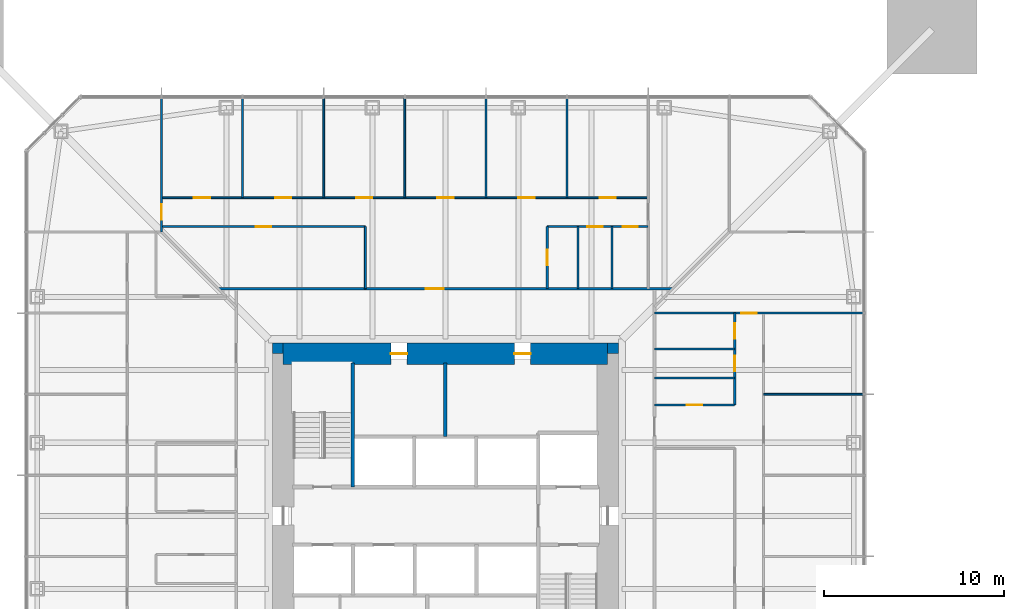
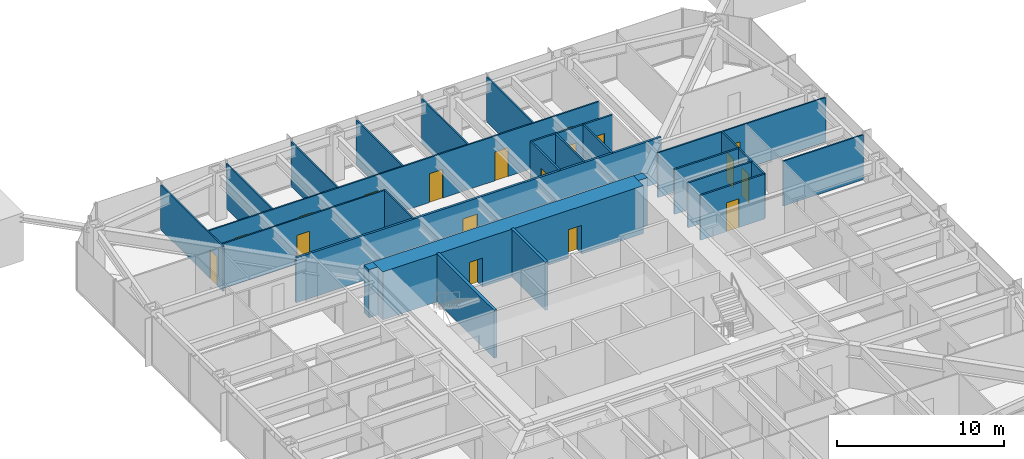
# One storey, part 17 of 26: 25 walls, 18 doors, 18 openings.
"""IFC4 building model written with IfcOpenShell, lengths in metres."""

from ifc_helpers import new_model, si_unit, direction, frame, frame_2d, origin, place, context, subcontext, project, spatial, rectangle, extrude, material, layer, layer_set, type_object, element, fill, save


model = new_model("IFC4")

# Units and contexts
model_context = context("Model", 3, precision=1e-05, world=origin(), true_north=direction((0.0, 1.0)))
body_context = subcontext(model_context, "Body", "Model", "MODEL_VIEW")
ifc_project = project(units=[si_unit("LENGTHUNIT", "METRE"), si_unit("AREAUNIT", "SQUARE_METRE"), si_unit("VOLUMEUNIT", "CUBIC_METRE"), si_unit("PLANEANGLEUNIT", "RADIAN"), si_unit("MASSUNIT", "GRAM", prefix="KILO")], contexts=[model_context])

# Site, building, storey
site_placement = place(None, origin())
site = spatial("IfcSite", under=ifc_project, at=site_placement, CompositionType="ELEMENT")
building_placement = place(site_placement, origin())
building = spatial("IfcBuilding", under=site, at=building_placement, Name="Iwan Alto Co-Living Towers", CompositionType="ELEMENT")
storey_placement = place(building_placement, frame((0.0, 0.0, 57.0)))
storey = spatial("IfcBuildingStorey", under=building, at=storey_placement, Name="L15", CompositionType="ELEMENT", Elevation=57.0)

# Wall, opening, door
ifc_material_1 = material(Name="Gypsum board")
ifc_layer_1 = layer(ifc_material_1, 0.02490234375, Name="Board", Category="Finish")
ifc_material_2 = material(Name="Steel ASTM A1003 ST33H cold-formed studs", Category="steel")
ifc_layer_2 = layer(ifc_material_2, 0.10009765625, Name="Studs", Category="Framing")
ifc_layer_3 = layer(ifc_material_1, 0.02490234375, Name="Board", Category="Finish")
ifc_layer_set_1 = layer_set([ifc_layer_1, ifc_layer_2, ifc_layer_3], Name="CORRIDOR WALL 150")
wall_type_1 = type_object("IfcWallType", Name="CORRIDOR WALL 150", PredefinedType="PARTITIONING", material=ifc_layer_set_1)
wall_1_placement = place(storey_placement, frame((-12.60009765625, 12.60009765625, 0.0), z_axis=(0.0, 0.0, 1.0), x_axis=(1.0, 0.0, 0.0)))
wall_1 = element("IfcWall", 1, at=wall_1_placement, inside=storey, type_object=wall_type_1, Name="Partition L15", PredefinedType="PARTITIONING", context=body_context, shape_type="SweptSolid", body=[
    extrude(rectangle(XDim=25.2001953125, YDim=0.14990234375, at=frame_2d((12.60009765625, 0.0))), origin(), (0.0, 0.0, 1.0), 3.27001953125),
])
opening_1_placement = place(wall_1_placement, frame((11.5048828125, 0.0, 0.0)))
opening_1 = element("IfcOpeningElement", 2, at=opening_1_placement, cuts=wall_1, Name="Opening D3", PredefinedType="OPENING", context=body_context, shape_type="SweptSolid", body=[
    extrude(rectangle(XDim=1.0, YDim=2.10009765625, at=frame_2d((0.5, 1.050048828125))), frame((0.0, 0.0849609375, 0.0), z_axis=(0.0, -1.0, 0.0), x_axis=(1.0, 0.0, 0.0)), (0.0, 0.0, 1.0), 0.169921875),
])
ifc_material_3 = material(Name="Steel frame with timber leaf", Category="steel")
door_type_1 = type_object("IfcDoorType", Name="FLAT ENTRANCE DOOR FD30S 1000X2100", OperationType="SINGLE_SWING_LEFT", PredefinedType="DOOR", material=ifc_material_3)
door_1_placement = place(opening_1_placement, origin())
door_1 = element("IfcDoor", 3, at=door_1_placement, inside=storey, type_object=door_type_1, Name="Cluster lounge door L15", OperationType="SINGLE_SWING_LEFT", OverallHeight=2.10009765625, OverallWidth=1.0, PredefinedType="DOOR", context=body_context, shape_type="SweptSolid", body=[
    extrude(rectangle(XDim=1.0, YDim=2.10009765625, at=frame_2d((0.5, 1.050048828125))), frame((0.0, 0.02490234375, 0.0), z_axis=(0.0, -1.0, 0.0), x_axis=(1.0, 0.0, 0.0)), (0.0, 0.0, 1.0), 0.050048828125),
])
fill(opening_1, door_1)

# Wall
ifc_layer_4 = layer(ifc_material_1, 0.012451171875, Name="Board", Category="Finish")
ifc_layer_5 = layer(ifc_material_2, 0.074951171875, Name="Studs", Category="Framing")
ifc_layer_6 = layer(ifc_material_1, 0.012451171875, Name="Board", Category="Finish")
ifc_layer_set_2 = layer_set([ifc_layer_4, ifc_layer_5, ifc_layer_6], Name="PARTITION 100")
wall_type_2 = type_object("IfcWallType", Name="PARTITION 100", PredefinedType="PARTITIONING", material=ifc_layer_set_2)
wall_2_placement = place(storey_placement, frame((17.64990234375, 6.75, 0.0), z_axis=(0.0, 0.0, 1.0), x_axis=(1.0, 0.0, 0.0)))
element("IfcWall", 4, at=wall_2_placement, inside=storey, type_object=wall_type_2, Name="Partition L15", PredefinedType="PARTITIONING", context=body_context, shape_type="SweptSolid", body=[
    extrude(rectangle(XDim=5.5400390625, YDim=0.10009765625, at=frame_2d((2.77001953125, 0.0))), origin(), (0.0, 0.0, 1.0), 3.27001953125),
])

# Wall, opening, door
wall_3_placement = place(storey_placement, frame((11.60009765625, 11.25, 0.0), z_axis=(0.0, 0.0, 1.0), x_axis=(1.0, 0.0, 0.0)))
wall_3 = element("IfcWall", 5, at=wall_3_placement, inside=storey, type_object=wall_type_2, Name="Partition L15", PredefinedType="PARTITIONING", context=body_context, shape_type="SweptSolid", body=[
    extrude(rectangle(XDim=11.58984375, YDim=0.10009765625, at=frame_2d((5.794921875, 0.0))), origin(), (0.0, 0.0, 1.0), 3.27001953125),
])
opening_2_placement = place(wall_3_placement, frame((4.824951171875, 0.0, 0.0)))
opening_2 = element("IfcOpeningElement", 6, at=opening_2_placement, cuts=wall_3, Name="Opening D2", PredefinedType="OPENING", context=body_context, shape_type="SweptSolid", body=[
    extrude(rectangle(XDim=0.85009765625, YDim=2.10009765625, at=frame_2d((0.425048828125, 1.050048828125))), frame((0.0, 0.06005859375, 0.0), z_axis=(0.0, -1.0, 0.0), x_axis=(1.0, 0.0, 0.0)), (0.0, 0.0, 1.0), 0.1201171875),
])
ifc_material_4 = material(Name="Timber leaf in steel frame", Category="steel")
door_type_2 = type_object("IfcDoorType", Name="ROOM DOOR 850X2100", OperationType="SINGLE_SWING_LEFT", PredefinedType="DOOR", material=ifc_material_4)
door_2_placement = place(opening_2_placement, frame((0.85009765625, 0.0, 0.0), z_axis=(0.0, 0.0, 1.0), x_axis=(-1.0, 0.0, 0.0)))
door_2 = element("IfcDoor", 7, at=door_2_placement, inside=storey, type_object=door_type_2, Name="Teaching kitchen door L15", OperationType="SINGLE_SWING_RIGHT", OverallHeight=2.10009765625, OverallWidth=0.85009765625, PredefinedType="DOOR", context=body_context, shape_type="SweptSolid", body=[
    extrude(rectangle(XDim=0.85009765625, YDim=2.10009765625, at=frame_2d((0.425048828125, 1.050048828125))), frame((0.0, 0.02490234375, 0.0), z_axis=(0.0, -1.0, 0.0), x_axis=(1.0, 0.0, 0.0)), (0.0, 0.0, 1.0), 0.050048828125),
])
fill(opening_2, door_2)

wall_4_placement = place(storey_placement, frame((-15.75, 16.050048828125, 0.0), z_axis=(0.0, 0.0, 1.0), x_axis=(1.0, 0.0, 0.0)))
wall_4 = element("IfcWall", 8, at=wall_4_placement, inside=storey, type_object=wall_type_2, Name="Partition L15", PredefinedType="PARTITIONING", context=body_context, shape_type="SweptSolid", body=[
    extrude(rectangle(XDim=11.31005859375, YDim=0.10009765625, at=frame_2d((5.655029296875, 0.0))), origin(), (0.0, 0.0, 1.0), 3.27001953125),
])
opening_3_placement = place(wall_4_placement, frame((5.22998046875, 0.0, 0.0)))
opening_3 = element("IfcOpeningElement", 9, at=opening_3_placement, cuts=wall_4, Name="Opening D2", PredefinedType="OPENING", context=body_context, shape_type="SweptSolid", body=[
    extrude(rectangle(XDim=0.85009765625, YDim=2.10009765625, at=frame_2d((0.425048828125, 1.050048828125))), frame((0.0, 0.06005859375, 0.0), z_axis=(0.0, -1.0, 0.0), x_axis=(1.0, 0.0, 0.0)), (0.0, 0.0, 1.0), 0.1201171875),
])
door_3_placement = place(opening_3_placement, origin())
door_3 = element("IfcDoor", 10, at=door_3_placement, inside=storey, type_object=door_type_2, Name="Study room door L15", OperationType="SINGLE_SWING_LEFT", OverallHeight=2.10009765625, OverallWidth=0.85009765625, PredefinedType="DOOR", context=body_context, shape_type="SweptSolid", body=[
    extrude(rectangle(XDim=0.85009765625, YDim=2.10009765625, at=frame_2d((0.425048828125, 1.050048828125))), frame((0.0, 0.02490234375, 0.0), z_axis=(0.0, -1.0, 0.0), x_axis=(1.0, 0.0, 0.0)), (0.0, 0.0, 1.0), 0.050048828125),
])
fill(opening_3, door_3)

# Wall, openings, doors
wall_5_placement = place(storey_placement, frame((-15.75, 17.64990234375, 0.0), z_axis=(0.0, 0.0, 1.0), x_axis=(1.0, 0.0, 0.0)))
wall_5 = element("IfcWall", 11, at=wall_5_placement, inside=storey, type_object=wall_type_2, Name="Partition L15", PredefinedType="PARTITIONING", context=body_context, shape_type="SweptSolid", body=[
    extrude(rectangle(XDim=27.0, YDim=0.10009765625, at=frame_2d((13.5, 0.0))), origin(), (0.0, 0.0, 1.0), 3.27001953125),
])
opening_4_placement = place(wall_5_placement, frame((24.300048828125, 0.0, 0.0)))
opening_4 = element("IfcOpeningElement", 12, at=opening_4_placement, cuts=wall_5, Name="Opening D1", PredefinedType="OPENING", context=body_context, shape_type="SweptSolid", body=[
    extrude(rectangle(XDim=0.89990234375, YDim=2.10009765625, at=frame_2d((0.449951171875, 1.050048828125))), frame((0.0, 0.06005859375, 0.0), z_axis=(0.0, -1.0, 0.0), x_axis=(1.0, 0.0, 0.0)), (0.0, 0.0, 1.0), 0.1201171875),
])
opening_5_placement = place(wall_5_placement, frame((19.800048828125, 0.0, 0.0)))
opening_5 = element("IfcOpeningElement", 13, at=opening_5_placement, cuts=wall_5, Name="Opening D1", PredefinedType="OPENING", context=body_context, shape_type="SweptSolid", body=[
    extrude(rectangle(XDim=0.89990234375, YDim=2.10009765625, at=frame_2d((0.449951171875, 1.050048828125))), frame((0.0, 0.06005859375, 0.0), z_axis=(0.0, -1.0, 0.0), x_axis=(1.0, 0.0, 0.0)), (0.0, 0.0, 1.0), 0.1201171875),
])
opening_6_placement = place(wall_5_placement, frame((15.300048828125, 0.0, 0.0)))
opening_6 = element("IfcOpeningElement", 14, at=opening_6_placement, cuts=wall_5, Name="Opening D1", PredefinedType="OPENING", context=body_context, shape_type="SweptSolid", body=[
    extrude(rectangle(XDim=0.89990234375, YDim=2.10009765625, at=frame_2d((0.449951171875, 1.050048828125))), frame((0.0, 0.06005859375, 0.0), z_axis=(0.0, -1.0, 0.0), x_axis=(1.0, 0.0, 0.0)), (0.0, 0.0, 1.0), 0.1201171875),
])
opening_7_placement = place(wall_5_placement, frame((10.800048828125, 0.0, 0.0)))
opening_7 = element("IfcOpeningElement", 15, at=opening_7_placement, cuts=wall_5, Name="Opening D1", PredefinedType="OPENING", context=body_context, shape_type="SweptSolid", body=[
    extrude(rectangle(XDim=0.89990234375, YDim=2.10009765625, at=frame_2d((0.449951171875, 1.050048828125))), frame((0.0, 0.06005859375, 0.0), z_axis=(0.0, -1.0, 0.0), x_axis=(1.0, 0.0, 0.0)), (0.0, 0.0, 1.0), 0.1201171875),
])
opening_8_placement = place(wall_5_placement, frame((6.300048828125, 0.0, 0.0)))
opening_8 = element("IfcOpeningElement", 16, at=opening_8_placement, cuts=wall_5, Name="Opening D1", PredefinedType="OPENING", context=body_context, shape_type="SweptSolid", body=[
    extrude(rectangle(XDim=0.89990234375, YDim=2.10009765625, at=frame_2d((0.449951171875, 1.050048828125))), frame((0.0, 0.06005859375, 0.0), z_axis=(0.0, -1.0, 0.0), x_axis=(1.0, 0.0, 0.0)), (0.0, 0.0, 1.0), 0.1201171875),
])
opening_9_placement = place(wall_5_placement, frame((1.800048828125, 0.0, 0.0)))
opening_9 = element("IfcOpeningElement", 17, at=opening_9_placement, cuts=wall_5, Name="Opening D1", PredefinedType="OPENING", context=body_context, shape_type="SweptSolid", body=[
    extrude(rectangle(XDim=0.89990234375, YDim=2.10009765625, at=frame_2d((0.449951171875, 1.050048828125))), frame((0.0, 0.06005859375, 0.0), z_axis=(0.0, -1.0, 0.0), x_axis=(1.0, 0.0, 0.0)), (0.0, 0.0, 1.0), 0.1201171875),
])
ifc_material_5 = material(Name="Timber leaf in steel frame", Category="steel")
door_type_3 = type_object("IfcDoorType", Name="BEDROOM DOOR 900X2100", OperationType="SINGLE_SWING_LEFT", PredefinedType="DOOR", material=ifc_material_5)
door_4_placement = place(opening_4_placement, frame((0.89990234375, 0.0, 0.0), z_axis=(0.0, 0.0, 1.0), x_axis=(-1.0, 0.0, 0.0)))
door_4 = element("IfcDoor", 18, at=door_4_placement, inside=storey, type_object=door_type_3, Name="Study bedroom door L15", OperationType="SINGLE_SWING_LEFT", OverallHeight=2.10009765625, OverallWidth=0.89990234375, PredefinedType="DOOR", context=body_context, shape_type="SweptSolid", body=[
    extrude(rectangle(XDim=0.89990234375, YDim=2.10009765625, at=frame_2d((0.449951171875, 1.050048828125))), frame((0.0, 0.02490234375, 0.0), z_axis=(0.0, -1.0, 0.0), x_axis=(1.0, 0.0, 0.0)), (0.0, 0.0, 1.0), 0.050048828125),
])
fill(opening_4, door_4)
door_5_placement = place(opening_5_placement, frame((0.89990234375, 0.0, 0.0), z_axis=(0.0, 0.0, 1.0), x_axis=(-1.0, 0.0, 0.0)))
door_5 = element("IfcDoor", 19, at=door_5_placement, inside=storey, type_object=door_type_3, Name="Study bedroom door L15", OperationType="SINGLE_SWING_LEFT", OverallHeight=2.10009765625, OverallWidth=0.89990234375, PredefinedType="DOOR", context=body_context, shape_type="SweptSolid", body=[
    extrude(rectangle(XDim=0.89990234375, YDim=2.10009765625, at=frame_2d((0.449951171875, 1.050048828125))), frame((0.0, 0.02490234375, 0.0), z_axis=(0.0, -1.0, 0.0), x_axis=(1.0, 0.0, 0.0)), (0.0, 0.0, 1.0), 0.050048828125),
])
fill(opening_5, door_5)
door_6_placement = place(opening_6_placement, frame((0.89990234375, 0.0, 0.0), z_axis=(0.0, 0.0, 1.0), x_axis=(-1.0, 0.0, 0.0)))
door_6 = element("IfcDoor", 20, at=door_6_placement, inside=storey, type_object=door_type_3, Name="Study bedroom door L15", OperationType="SINGLE_SWING_LEFT", OverallHeight=2.10009765625, OverallWidth=0.89990234375, PredefinedType="DOOR", context=body_context, shape_type="SweptSolid", body=[
    extrude(rectangle(XDim=0.89990234375, YDim=2.10009765625, at=frame_2d((0.449951171875, 1.050048828125))), frame((0.0, 0.02490234375, 0.0), z_axis=(0.0, -1.0, 0.0), x_axis=(1.0, 0.0, 0.0)), (0.0, 0.0, 1.0), 0.050048828125),
])
fill(opening_6, door_6)
door_7_placement = place(opening_7_placement, frame((0.89990234375, 0.0, 0.0), z_axis=(0.0, 0.0, 1.0), x_axis=(-1.0, 0.0, 0.0)))
door_7 = element("IfcDoor", 21, at=door_7_placement, inside=storey, type_object=door_type_3, Name="Study bedroom door L15", OperationType="SINGLE_SWING_RIGHT", OverallHeight=2.10009765625, OverallWidth=0.89990234375, PredefinedType="DOOR", context=body_context, shape_type="SweptSolid", body=[
    extrude(rectangle(XDim=0.89990234375, YDim=2.10009765625, at=frame_2d((0.449951171875, 1.050048828125))), frame((0.0, 0.02490234375, 0.0), z_axis=(0.0, -1.0, 0.0), x_axis=(1.0, 0.0, 0.0)), (0.0, 0.0, 1.0), 0.050048828125),
])
fill(opening_7, door_7)
door_8_placement = place(opening_8_placement, frame((0.89990234375, 0.0, 0.0), z_axis=(0.0, 0.0, 1.0), x_axis=(-1.0, 0.0, 0.0)))
door_8 = element("IfcDoor", 22, at=door_8_placement, inside=storey, type_object=door_type_3, Name="Study bedroom door L15", OperationType="SINGLE_SWING_RIGHT", OverallHeight=2.10009765625, OverallWidth=0.89990234375, PredefinedType="DOOR", context=body_context, shape_type="SweptSolid", body=[
    extrude(rectangle(XDim=0.89990234375, YDim=2.10009765625, at=frame_2d((0.449951171875, 1.050048828125))), frame((0.0, 0.02490234375, 0.0), z_axis=(0.0, -1.0, 0.0), x_axis=(1.0, 0.0, 0.0)), (0.0, 0.0, 1.0), 0.050048828125),
])
fill(opening_8, door_8)
door_9_placement = place(opening_9_placement, frame((0.89990234375, 0.0, 0.0), z_axis=(0.0, 0.0, 1.0), x_axis=(-1.0, 0.0, 0.0)))
door_9 = element("IfcDoor", 23, at=door_9_placement, inside=storey, type_object=door_type_3, Name="Study bedroom door L15", OperationType="SINGLE_SWING_RIGHT", OverallHeight=2.10009765625, OverallWidth=0.89990234375, PredefinedType="DOOR", context=body_context, shape_type="SweptSolid", body=[
    extrude(rectangle(XDim=0.89990234375, YDim=2.10009765625, at=frame_2d((0.449951171875, 1.050048828125))), frame((0.0, 0.02490234375, 0.0), z_axis=(0.0, -1.0, 0.0), x_axis=(1.0, 0.0, 0.0)), (0.0, 0.0, 1.0), 0.050048828125),
])
fill(opening_9, door_9)

# Walls
for number, where, z_axis, x_axis, name in (
    (24, (6.75, 17.64990234375, 0.0), (0.0, 0.0, 1.0), (0.0, 1.0, 0.0), "Partition L15"),
    (25, (2.25, 17.64990234375, 0.0), (0.0, 0.0, 1.0), (0.0, 1.0, 0.0), "Partition L15"),
    (26, (-2.25, 17.64990234375, 0.0), (0.0, 0.0, 1.0), (0.0, 1.0, 0.0), "Partition L15"),
):
    element("IfcWall", number, at=place(storey_placement, frame(where, z_axis=z_axis, x_axis=x_axis)), inside=storey, type_object=wall_type_2, Name=name, PredefinedType="PARTITIONING", context=body_context, shape_type="SweptSolid", body=[
        extrude(rectangle(XDim=5.5400390625, YDim=0.10009765625, at=frame_2d((2.77001953125, 0.0))), origin(), (0.0, 0.0, 1.0), 3.27001953125),
    ])
wall_6_placement = place(storey_placement, frame((-4.43994140625, 12.60009765625, 0.0), z_axis=(0.0, 0.0, 1.0), x_axis=(0.0, 1.0, 0.0)))
element("IfcWall", 27, at=wall_6_placement, inside=storey, type_object=wall_type_2, Name="Partition L15", PredefinedType="PARTITIONING", context=body_context, shape_type="SweptSolid", body=[
    extrude(rectangle(XDim=3.449951171875, YDim=0.10009765625, at=frame_2d((1.72509765625, 0.0))), origin(), (0.0, 0.0, 1.0), 3.27001953125),
])
for number, where, z_axis, x_axis, name in (
    (28, (-6.75, 17.64990234375, 0.0), (0.0, 0.0, 1.0), (0.0, 1.0, 0.0), "Partition L15"),
    (29, (-11.25, 17.64990234375, 0.0), (0.0, 0.0, 1.0), (0.0, 1.0, 0.0), "Partition L15"),
):
    element("IfcWall", number, at=place(storey_placement, frame(where, z_axis=z_axis, x_axis=x_axis)), inside=storey, type_object=wall_type_2, Name=name, PredefinedType="PARTITIONING", context=body_context, shape_type="SweptSolid", body=[
        extrude(rectangle(XDim=5.5400390625, YDim=0.10009765625, at=frame_2d((2.77001953125, 0.0))), origin(), (0.0, 0.0, 1.0), 3.27001953125),
    ])

# Wall, opening, door
wall_7_placement = place(storey_placement, frame((-15.75, 15.75, 0.0), z_axis=(0.0, 0.0, 1.0), x_axis=(0.0, 1.0, 0.0)))
wall_7 = element("IfcWall", 30, at=wall_7_placement, inside=storey, type_object=wall_type_2, Name="Partition L15", PredefinedType="PARTITIONING", context=body_context, shape_type="SweptSolid", body=[
    extrude(rectangle(XDim=7.43994140625, YDim=0.10009765625, at=frame_2d((3.719970703125, 0.0))), origin(), (0.0, 0.0, 1.0), 3.27001953125),
])
opening_10_placement = place(wall_7_placement, frame((0.675048828125, 0.0, 0.0)))
opening_10 = element("IfcOpeningElement", 31, at=opening_10_placement, cuts=wall_7, Name="Opening D2", PredefinedType="OPENING", context=body_context, shape_type="SweptSolid", body=[
    extrude(rectangle(XDim=0.85009765625, YDim=2.10009765625, at=frame_2d((0.425048828125, 1.050048828125))), frame((0.0, 0.06005859375, 0.0), z_axis=(0.0, -1.0, 0.0), x_axis=(1.0, 0.0, 0.0)), (0.0, 0.0, 1.0), 0.1201171875),
])
door_10_placement = place(opening_10_placement, frame((0.85009765625, 0.0, 0.0), z_axis=(0.0, 0.0, 1.0), x_axis=(-1.0, 0.0, 0.0)))
door_10 = element("IfcDoor", 32, at=door_10_placement, inside=storey, type_object=door_type_2, Name="Shared kitchen and dining room door L15", OperationType="SINGLE_SWING_RIGHT", OverallHeight=2.10009765625, OverallWidth=0.85009765625, PredefinedType="DOOR", context=body_context, shape_type="SweptSolid", body=[
    extrude(rectangle(XDim=0.85009765625, YDim=2.10009765625, at=frame_2d((0.425048828125, 1.050048828125))), frame((0.0, 0.02490234375, 0.0), z_axis=(0.0, -1.0, 0.0), x_axis=(1.0, 0.0, 0.0)), (0.0, 0.0, 1.0), 0.050048828125),
])
fill(opening_10, door_10)

# Walls
ifc_material_6 = material(Name="Concrete f'c 70 MPa", Category="concrete")
ifc_layer_7 = layer(ifc_material_6, 0.199951171875)
ifc_layer_set_3 = layer_set([ifc_layer_7], Name="SHAFT WALL 200")
wall_type_3 = type_object("IfcWallType", Name="SHAFT WALL 200", PredefinedType="SOLIDWALL", material=ifc_layer_set_3)
wall_8_placement = place(storey_placement, frame((0.0, 4.39990234375, 0.0), z_axis=(0.0, 0.0, 1.0), x_axis=(0.0, 1.0, 0.0)))
element("IfcWall", 33, at=wall_8_placement, inside=storey, type_object=wall_type_3, Name="Shaft wall L15", PredefinedType="SOLIDWALL", context=body_context, shape_type="SweptSolid", body=[
    extrude(rectangle(XDim=4.090087890625, YDim=0.199951171875, at=frame_2d((2.044921875, 0.0))), origin(), (0.0, 0.0, 1.0), 3.5),
])
wall_9_placement = place(storey_placement, frame((-5.14990234375, 1.60009765625, 0.0), z_axis=(0.0, 0.0, 1.0), x_axis=(0.0, 1.0, 0.0)))
element("IfcWall", 34, at=wall_9_placement, inside=storey, type_object=wall_type_3, Name="Shaft wall L15", PredefinedType="SOLIDWALL", context=body_context, shape_type="SweptSolid", body=[
    extrude(rectangle(XDim=6.889892578125, YDim=0.199951171875, at=frame_2d((3.44482421875, 0.0))), origin(), (0.0, 0.0, 1.0), 3.5),
])
ifc_material_7 = material(Name="Concrete f'c 70 MPa", Category="concrete")
ifc_layer_8 = layer(ifc_material_7, 0.60009765625)
ifc_layer_set_4 = layer_set([ifc_layer_8], Name="T1 CORE CORNER FILL 600")
wall_type_4 = type_object("IfcWallType", Name="T1 CORE CORNER FILL 600", PredefinedType="SOLIDWALL", material=ifc_layer_set_4)
for number, where, z_axis, x_axis, name in (
    (35, (9.0, 9.300048828125, 0.0), (0.0, 0.0, 1.0), (1.0, 0.0, 0.0), "T1 core corner NE L15"),
    (36, (-9.60009765625, 9.300048828125, 0.0), (0.0, 0.0, 1.0), (1.0, 0.0, 0.0), "T1 core corner NW L15"),
):
    element("IfcWall", number, at=place(storey_placement, frame(where, z_axis=z_axis, x_axis=x_axis)), inside=storey, type_object=wall_type_4, Name=name, PredefinedType="SOLIDWALL", context=body_context, shape_type="SweptSolid", body=[
        extrude(rectangle(XDim=0.60009765625, YDim=0.60009765625, at=frame_2d((0.300048828125, 0.0))), origin(), (0.0, 0.0, 1.0), 3.5),
    ])

# Wall, openings, doors
ifc_material_8 = material(Name="Concrete f'c 70 MPa", Category="concrete")
ifc_layer_9 = layer(ifc_material_8, 1.199951171875)
ifc_layer_set_5 = layer_set([ifc_layer_9], Name="T1 CORE WALL 1200")
wall_type_5 = type_object("IfcWallType", Name="T1 CORE WALL 1200", PredefinedType="SHEAR", material=ifc_layer_set_5)
wall_10_placement = place(storey_placement, frame((9.0, 9.0, 0.0), z_axis=(0.0, 0.0, 1.0), x_axis=(-1.0, 0.0, 0.0)))
wall_10 = element("IfcWall", 37, at=wall_10_placement, inside=storey, type_object=wall_type_5, Name="T1 core wall N L15", PredefinedType="SHEAR", context=body_context, shape_type="SweptSolid", body=[
    extrude(rectangle(XDim=18.0, YDim=1.199951171875, at=frame_2d((9.0, 0.0))), origin(), (0.0, 0.0, 1.0), 3.5),
])
opening_11_placement = place(wall_10_placement, frame((11.125, 0.0, 0.0)))
opening_11 = element("IfcOpeningElement", 38, at=opening_11_placement, cuts=wall_10, Name="Opening D8", PredefinedType="OPENING", context=body_context, shape_type="SweptSolid", body=[
    extrude(rectangle(XDim=0.89990234375, YDim=2.10009765625, at=frame_2d((0.449951171875, 1.050048828125))), frame((0.0, 0.60986328125, 0.0), z_axis=(0.0, -1.0, 0.0), x_axis=(1.0, 0.0, 0.0)), (0.0, 0.0, 1.0), 1.219970703125),
])
opening_12_placement = place(wall_10_placement, frame((4.27490234375, 0.0, 0.0)))
opening_12 = element("IfcOpeningElement", 39, at=opening_12_placement, cuts=wall_10, Name="Opening D8", PredefinedType="OPENING", context=body_context, shape_type="SweptSolid", body=[
    extrude(rectangle(XDim=0.89990234375, YDim=2.10009765625, at=frame_2d((0.449951171875, 1.050048828125))), frame((0.0, 0.60986328125, 0.0), z_axis=(0.0, -1.0, 0.0), x_axis=(1.0, 0.0, 0.0)), (0.0, 0.0, 1.0), 1.219970703125),
])
ifc_material_9 = material(Name="Steel frame with timber leaf", Category="steel")
door_type_4 = type_object("IfcDoorType", Name="RISER DOOR FD120 900X2100", OperationType="SINGLE_SWING_LEFT", PredefinedType="DOOR", material=ifc_material_9)
door_11_placement = place(opening_11_placement, origin())
door_11 = element("IfcDoor", 40, at=door_11_placement, inside=storey, type_object=door_type_4, Name="Electrical riser core door L15", OperationType="SINGLE_SWING_RIGHT", OverallHeight=2.10009765625, OverallWidth=0.89990234375, PredefinedType="DOOR", context=body_context, shape_type="SweptSolid", body=[
    extrude(rectangle(XDim=0.89990234375, YDim=2.10009765625, at=frame_2d((0.449951171875, 1.050048828125))), frame((0.0, 0.02490234375, 0.0), z_axis=(0.0, -1.0, 0.0), x_axis=(1.0, 0.0, 0.0)), (0.0, 0.0, 1.0), 0.050048828125),
])
fill(opening_11, door_11)
door_12_placement = place(opening_12_placement, origin())
door_12 = element("IfcDoor", 41, at=door_12_placement, inside=storey, type_object=door_type_4, Name="Water and drainage riser core door L15", OperationType="SINGLE_SWING_RIGHT", OverallHeight=2.10009765625, OverallWidth=0.89990234375, PredefinedType="DOOR", context=body_context, shape_type="SweptSolid", body=[
    extrude(rectangle(XDim=0.89990234375, YDim=2.10009765625, at=frame_2d((0.449951171875, 1.050048828125))), frame((0.0, 0.02490234375, 0.0), z_axis=(0.0, -1.0, 0.0), x_axis=(1.0, 0.0, 0.0)), (0.0, 0.0, 1.0), 0.050048828125),
])
fill(opening_12, door_12)

# Wall, opening, door
ifc_material_10 = material(Name="Cement board")
ifc_layer_10 = layer(ifc_material_10, 0.012451171875, Name="Board", Category="Finish")
ifc_layer_11 = layer(ifc_material_2, 0.094970703125, Name="Studs", Category="Framing")
ifc_layer_12 = layer(ifc_material_10, 0.012451171875, Name="Board", Category="Finish")
ifc_layer_set_6 = layer_set([ifc_layer_10, ifc_layer_11, ifc_layer_12], Name="WET AREA PARTITION 120")
wall_type_6 = type_object("IfcWallType", Name="WET AREA PARTITION 120", PredefinedType="PARTITIONING", material=ifc_layer_set_6)
wall_11_placement = place(storey_placement, frame((11.60009765625, 6.14990234375, 0.0), z_axis=(0.0, 0.0, 1.0), x_axis=(1.0, 0.0, 0.0)))
wall_11 = element("IfcWall", 42, at=wall_11_placement, inside=storey, type_object=wall_type_6, Name="Partition L15", PredefinedType="PARTITIONING", context=body_context, shape_type="SweptSolid", body=[
    extrude(rectangle(XDim=4.449951171875, YDim=0.1201171875, at=frame_2d((2.22509765625, 0.0))), origin(), (0.0, 0.0, 1.0), 3.27001953125),
])
opening_13_placement = place(wall_11_placement, frame((1.800048828125, 0.0, 0.0)))
opening_13 = element("IfcOpeningElement", 43, at=opening_13_placement, cuts=wall_11, Name="Opening D2", PredefinedType="OPENING", context=body_context, shape_type="SweptSolid", body=[
    extrude(rectangle(XDim=0.85009765625, YDim=2.10009765625, at=frame_2d((0.425048828125, 1.050048828125))), frame((0.0, 0.070068359375, 0.0), z_axis=(0.0, -1.0, 0.0), x_axis=(1.0, 0.0, 0.0)), (0.0, 0.0, 1.0), 0.14013671875),
])
door_13_placement = place(opening_13_placement, frame((0.85009765625, 0.0, 0.0), z_axis=(0.0, 0.0, 1.0), x_axis=(-1.0, 0.0, 0.0)))
door_13 = element("IfcDoor", 44, at=door_13_placement, inside=storey, type_object=door_type_2, Name="Bathroom door L15", OperationType="SINGLE_SWING_RIGHT", OverallHeight=2.10009765625, OverallWidth=0.85009765625, PredefinedType="DOOR", context=body_context, shape_type="SweptSolid", body=[
    extrude(rectangle(XDim=0.85009765625, YDim=2.10009765625, at=frame_2d((0.425048828125, 1.050048828125))), frame((0.0, 0.02490234375, 0.0), z_axis=(0.0, -1.0, 0.0), x_axis=(1.0, 0.0, 0.0)), (0.0, 0.0, 1.0), 0.050048828125),
])
fill(opening_13, door_13)

# Walls
for number, where, z_axis, x_axis, name in (
    (45, (11.60009765625, 7.64990234375, 0.0), (0.0, 0.0, 1.0), (1.0, 0.0, 0.0), "Partition L15"),
    (46, (11.60009765625, 9.25, 0.0), (0.0, 0.0, 1.0), (1.0, 0.0, 0.0), "Partition L15"),
):
    element("IfcWall", number, at=place(storey_placement, frame(where, z_axis=z_axis, x_axis=x_axis)), inside=storey, type_object=wall_type_6, Name=name, PredefinedType="PARTITIONING", context=body_context, shape_type="SweptSolid", body=[
        extrude(rectangle(XDim=4.449951171875, YDim=0.1201171875, at=frame_2d((2.22509765625, 0.0))), origin(), (0.0, 0.0, 1.0), 3.27001953125),
    ])

# Wall, openings, doors
wall_12_placement = place(storey_placement, frame((5.64990234375, 16.050048828125, 0.0), z_axis=(0.0, 0.0, 1.0), x_axis=(1.0, 0.0, 0.0)))
wall_12 = element("IfcWall", 47, at=wall_12_placement, inside=storey, type_object=wall_type_6, Name="Partition L15", PredefinedType="PARTITIONING", context=body_context, shape_type="SweptSolid", body=[
    extrude(rectangle(XDim=5.60009765625, YDim=0.1201171875, at=frame_2d((2.800048828125, 0.0))), origin(), (0.0, 0.0, 1.0), 3.27001953125),
])
opening_14_placement = place(wall_12_placement, frame((4.175048828125, 0.0, 0.0)))
opening_14 = element("IfcOpeningElement", 48, at=opening_14_placement, cuts=wall_12, Name="Opening D2", PredefinedType="OPENING", context=body_context, shape_type="SweptSolid", body=[
    extrude(rectangle(XDim=0.85009765625, YDim=2.10009765625, at=frame_2d((0.425048828125, 1.050048828125))), frame((0.0, 0.070068359375, 0.0), z_axis=(0.0, -1.0, 0.0), x_axis=(1.0, 0.0, 0.0)), (0.0, 0.0, 1.0), 0.14013671875),
])
opening_15_placement = place(wall_12_placement, frame((2.22509765625, 0.0, 0.0)))
opening_15 = element("IfcOpeningElement", 49, at=opening_15_placement, cuts=wall_12, Name="Opening D2", PredefinedType="OPENING", context=body_context, shape_type="SweptSolid", body=[
    extrude(rectangle(XDim=0.85009765625, YDim=2.10009765625, at=frame_2d((0.425048828125, 1.050048828125))), frame((0.0, 0.070068359375, 0.0), z_axis=(0.0, -1.0, 0.0), x_axis=(1.0, 0.0, 0.0)), (0.0, 0.0, 1.0), 0.14013671875),
])
door_14_placement = place(opening_14_placement, origin())
door_14 = element("IfcDoor", 50, at=door_14_placement, inside=storey, type_object=door_type_2, Name="Laundry door L15", OperationType="SINGLE_SWING_RIGHT", OverallHeight=2.10009765625, OverallWidth=0.85009765625, PredefinedType="DOOR", context=body_context, shape_type="SweptSolid", body=[
    extrude(rectangle(XDim=0.85009765625, YDim=2.10009765625, at=frame_2d((0.425048828125, 1.050048828125))), frame((0.0, 0.02490234375, 0.0), z_axis=(0.0, -1.0, 0.0), x_axis=(1.0, 0.0, 0.0)), (0.0, 0.0, 1.0), 0.050048828125),
])
fill(opening_14, door_14)
door_15_placement = place(opening_15_placement, origin())
door_15 = element("IfcDoor", 51, at=door_15_placement, inside=storey, type_object=door_type_2, Name="Accessible bathroom door L15", OperationType="SINGLE_SWING_RIGHT", OverallHeight=2.10009765625, OverallWidth=0.85009765625, PredefinedType="DOOR", context=body_context, shape_type="SweptSolid", body=[
    extrude(rectangle(XDim=0.85009765625, YDim=2.10009765625, at=frame_2d((0.425048828125, 1.050048828125))), frame((0.0, 0.02490234375, 0.0), z_axis=(0.0, -1.0, 0.0), x_axis=(1.0, 0.0, 0.0)), (0.0, 0.0, 1.0), 0.050048828125),
])
fill(opening_15, door_15)

wall_13_placement = place(storey_placement, frame((16.050048828125, 6.14990234375, 0.0), z_axis=(0.0, 0.0, 1.0), x_axis=(0.0, 1.0, 0.0)))
wall_13 = element("IfcWall", 52, at=wall_13_placement, inside=storey, type_object=wall_type_6, Name="Partition L15", PredefinedType="PARTITIONING", context=body_context, shape_type="SweptSolid", body=[
    extrude(rectangle(XDim=5.10009765625, YDim=0.1201171875, at=frame_2d((2.550048828125, 0.0))), origin(), (0.0, 0.0, 1.0), 3.27001953125),
])
opening_16_placement = place(wall_13_placement, frame((1.875, 0.0, 0.0)))
opening_16 = element("IfcOpeningElement", 53, at=opening_16_placement, cuts=wall_13, Name="Opening D2", PredefinedType="OPENING", context=body_context, shape_type="SweptSolid", body=[
    extrude(rectangle(XDim=0.85009765625, YDim=2.10009765625, at=frame_2d((0.425048828125, 1.050048828125))), frame((0.0, 0.070068359375, 0.0), z_axis=(0.0, -1.0, 0.0), x_axis=(1.0, 0.0, 0.0)), (0.0, 0.0, 1.0), 0.14013671875),
])
opening_17_placement = place(wall_13_placement, frame((3.675048828125, 0.0, 0.0)))
opening_17 = element("IfcOpeningElement", 54, at=opening_17_placement, cuts=wall_13, Name="Opening D2", PredefinedType="OPENING", context=body_context, shape_type="SweptSolid", body=[
    extrude(rectangle(XDim=0.85009765625, YDim=2.10009765625, at=frame_2d((0.425048828125, 1.050048828125))), frame((0.0, 0.070068359375, 0.0), z_axis=(0.0, -1.0, 0.0), x_axis=(1.0, 0.0, 0.0)), (0.0, 0.0, 1.0), 0.14013671875),
])
door_16_placement = place(opening_16_placement, frame((0.85009765625, 0.0, 0.0), z_axis=(0.0, 0.0, 1.0), x_axis=(-1.0, 0.0, 0.0)))
door_16 = element("IfcDoor", 55, at=door_16_placement, inside=storey, type_object=door_type_2, Name="Accessible bathroom door L15", OperationType="SINGLE_SWING_LEFT", OverallHeight=2.10009765625, OverallWidth=0.85009765625, PredefinedType="DOOR", context=body_context, shape_type="SweptSolid", body=[
    extrude(rectangle(XDim=0.85009765625, YDim=2.10009765625, at=frame_2d((0.425048828125, 1.050048828125))), frame((0.0, 0.02490234375, 0.0), z_axis=(0.0, -1.0, 0.0), x_axis=(1.0, 0.0, 0.0)), (0.0, 0.0, 1.0), 0.050048828125),
])
fill(opening_16, door_16)
door_17_placement = place(opening_17_placement, frame((0.85009765625, 0.0, 0.0), z_axis=(0.0, 0.0, 1.0), x_axis=(-1.0, 0.0, 0.0)))
door_17 = element("IfcDoor", 56, at=door_17_placement, inside=storey, type_object=door_type_2, Name="Laundry door L15", OperationType="SINGLE_SWING_LEFT", OverallHeight=2.10009765625, OverallWidth=0.85009765625, PredefinedType="DOOR", context=body_context, shape_type="SweptSolid", body=[
    extrude(rectangle(XDim=0.85009765625, YDim=2.10009765625, at=frame_2d((0.425048828125, 1.050048828125))), frame((0.0, 0.02490234375, 0.0), z_axis=(0.0, -1.0, 0.0), x_axis=(1.0, 0.0, 0.0)), (0.0, 0.0, 1.0), 0.050048828125),
])
fill(opening_17, door_17)

# Walls
for number, where, z_axis, x_axis, name in (
    (57, (9.25, 12.60009765625, 0.0), (0.0, 0.0, 1.0), (0.0, 1.0, 0.0), "Partition L15"),
    (58, (7.35009765625, 12.60009765625, 0.0), (0.0, 0.0, 1.0), (0.0, 1.0, 0.0), "Partition L15"),
):
    element("IfcWall", number, at=place(storey_placement, frame(where, z_axis=z_axis, x_axis=x_axis)), inside=storey, type_object=wall_type_6, Name=name, PredefinedType="PARTITIONING", context=body_context, shape_type="SweptSolid", body=[
        extrude(rectangle(XDim=3.449951171875, YDim=0.1201171875, at=frame_2d((1.72509765625, 0.0))), origin(), (0.0, 0.0, 1.0), 3.27001953125),
    ])

# Wall, opening, door
wall_14_placement = place(storey_placement, frame((5.64990234375, 12.60009765625, 0.0), z_axis=(0.0, 0.0, 1.0), x_axis=(0.0, 1.0, 0.0)))
wall_14 = element("IfcWall", 59, at=wall_14_placement, inside=storey, type_object=wall_type_6, Name="Partition L15", PredefinedType="PARTITIONING", context=body_context, shape_type="SweptSolid", body=[
    extrude(rectangle(XDim=3.449951171875, YDim=0.1201171875, at=frame_2d((1.72509765625, 0.0))), origin(), (0.0, 0.0, 1.0), 3.27001953125),
])
opening_18_placement = place(wall_14_placement, frame((1.300048828125, 0.0, 0.0)))
opening_18 = element("IfcOpeningElement", 60, at=opening_18_placement, cuts=wall_14, Name="Opening D2", PredefinedType="OPENING", context=body_context, shape_type="SweptSolid", body=[
    extrude(rectangle(XDim=0.85009765625, YDim=2.10009765625, at=frame_2d((0.425048828125, 1.050048828125))), frame((0.0, 0.070068359375, 0.0), z_axis=(0.0, -1.0, 0.0), x_axis=(1.0, 0.0, 0.0)), (0.0, 0.0, 1.0), 0.14013671875),
])
door_18_placement = place(opening_18_placement, origin())
door_18 = element("IfcDoor", 61, at=door_18_placement, inside=storey, type_object=door_type_2, Name="Bathroom door L15", OperationType="SINGLE_SWING_LEFT", OverallHeight=2.10009765625, OverallWidth=0.85009765625, PredefinedType="DOOR", context=body_context, shape_type="SweptSolid", body=[
    extrude(rectangle(XDim=0.85009765625, YDim=2.10009765625, at=frame_2d((0.425048828125, 1.050048828125))), frame((0.0, 0.02490234375, 0.0), z_axis=(0.0, -1.0, 0.0), x_axis=(1.0, 0.0, 0.0)), (0.0, 0.0, 1.0), 0.050048828125),
])
fill(opening_18, door_18)

save(model, "model.ifc")
